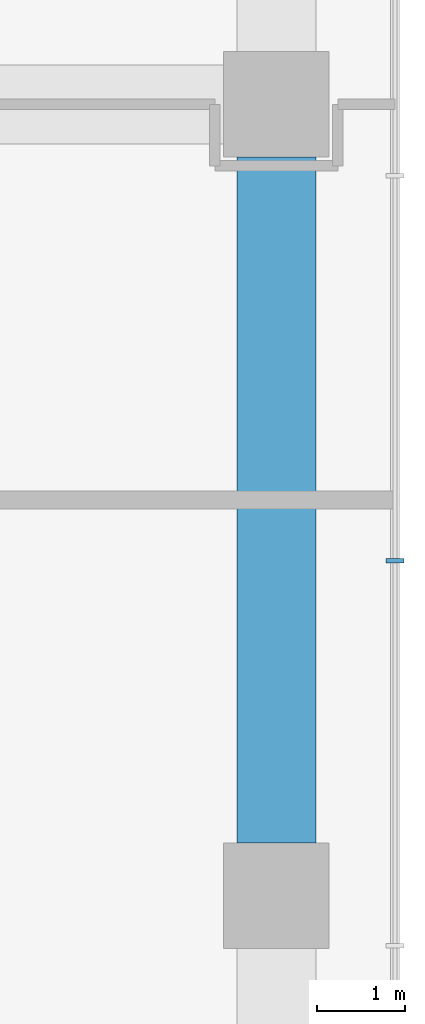
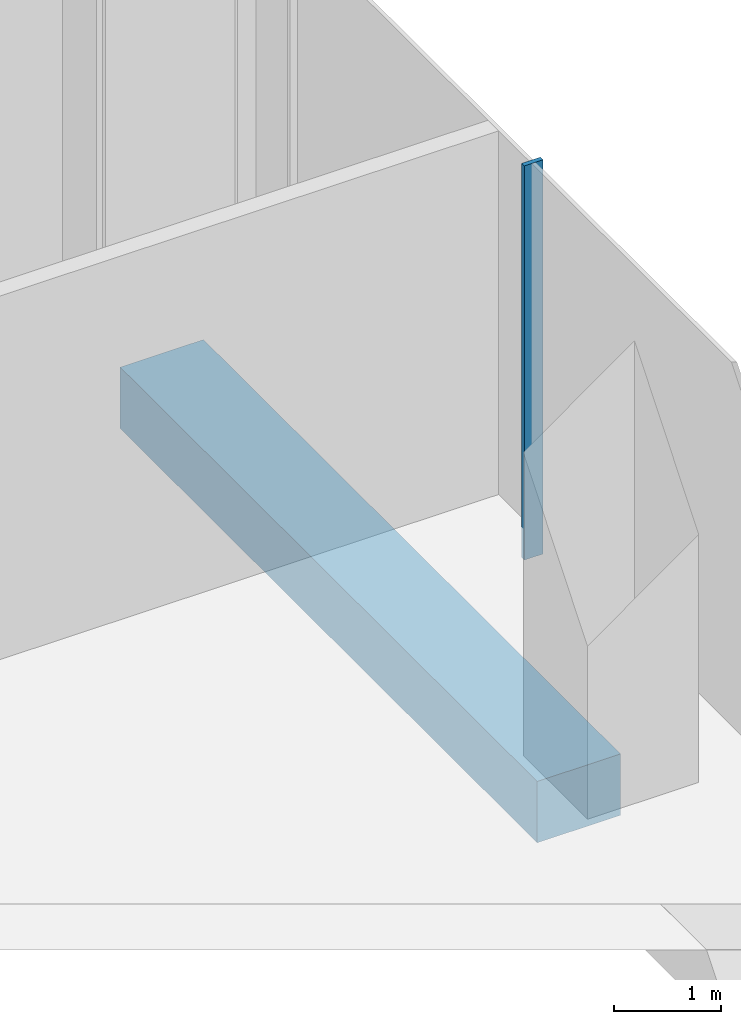
# One storey, part 18 of 43: 1 beam, 1 member, 1 element without a shape of its own.
"""IFC4 building model written with IfcOpenShell, lengths in metres."""

from ifc_helpers import new_model, si_unit, direction, frame, origin, origin_2d, place, context, subcontext, project, spatial, rectangle, extrude, material, layer, layer_set, material_profile, profile_set, type_object, element, aggregate, save


model = new_model("IFC4")

# Units and contexts
model_context = context("Model", 3, precision=1e-05, world=origin(), true_north=direction((0.0, 1.0)))
body_context = subcontext(model_context, "Body", "Model", "MODEL_VIEW")
ifc_project = project(units=[si_unit("LENGTHUNIT", "METRE"), si_unit("AREAUNIT", "SQUARE_METRE"), si_unit("VOLUMEUNIT", "CUBIC_METRE"), si_unit("PLANEANGLEUNIT", "RADIAN"), si_unit("MASSUNIT", "GRAM", prefix="KILO")], contexts=[model_context])

# Site, building, storey
site_placement = place(None, origin())
site = spatial("IfcSite", under=ifc_project, at=site_placement, CompositionType="ELEMENT")
building_placement = place(site_placement, origin())
building = spatial("IfcBuilding", under=site, at=building_placement, Name="Plateau Cross Towers", CompositionType="ELEMENT")
storey_placement = place(building_placement, frame((0.0, 0.0, 17.300048828125)))
storey = spatial("IfcBuildingStorey", under=building, at=storey_placement, Name="L03", CompositionType="ELEMENT", Elevation=17.300048828125)

# Curtain wall, member
ifc_material_1 = material(Name="Dark low-iron laminated glass", Category="glass")
ifc_layer = layer(ifc_material_1, 0.300048828125)
ifc_layer_set = layer_set([ifc_layer], Name="Dark low-iron laminated glass")
curtain_wall_type = type_object("IfcCurtainWallType", Name="Curtain wall structural silicone CW-C", PredefinedType="NOTDEFINED", material=ifc_layer_set)
curtain_wall_placement = place(storey_placement, origin())
curtain_wall = element("IfcCurtainWall", 1, at=curtain_wall_placement, inside=storey, type_object=curtain_wall_type, Name="ENV/P/L03/P1078_-88", PredefinedType="NOTDEFINED")
ifc_material_2 = material(Name="Black anodised aluminium", Category="aluminium")
ifc_material_profile_1 = material_profile(ifc_material_2, rectangle(XDim=0.050048828125, YDim=0.199951171875, at=origin_2d()), Name="MULLION 50x200")
ifc_profile_set_1 = profile_set([ifc_material_profile_1], Name="Black anodised aluminium")
member_type = type_object("IfcMemberType", Name="Mullion 50x200 structural silicone", PredefinedType="MULLION", material=ifc_profile_set_1)
member_placement = place(storey_placement, frame((107.85009765625, 21.81005859375, -0.35009765625), z_axis=(0.0, 0.0, 1.0), x_axis=(0.0, 1.0, 0.0)))
member = element("IfcMember", 2, at=member_placement, type_object=member_type, Name="CW-C mullion 8", PredefinedType="MULLION", context=body_context, shape_type="SweptSolid", body=[
    extrude(rectangle(XDim=0.050048828125, YDim=0.199951171875, at=origin_2d()), origin(), (0.0, 0.0, 1.0), 4.5),
])
aggregate(curtain_wall, [member])

# Beam
ifc_material_3 = material(Name="Concrete C50/60", Category="concrete")
ifc_material_profile_2 = material_profile(ifc_material_3, rectangle(XDim=0.89990234375, YDim=0.699951171875, at=origin_2d()), Name="RC 900x700")
ifc_profile_set_2 = profile_set([ifc_material_profile_2], Name="Concrete C50/60")
beam_type = type_object("IfcBeamType", Name="Podium band beam RC 900x700", PredefinedType="BEAM", material=ifc_profile_set_2)
beam_placement = place(storey_placement, frame((106.5, 18.60009765625, -0.699951171875), z_axis=(0.0, 1.0, 0.0), x_axis=(-1.0, 0.0, 0.0)))
element("IfcBeam", 3, at=beam_placement, inside=storey, type_object=beam_type, Name="PB177@L03", PredefinedType="BEAM", context=body_context, shape_type="SweptSolid", body=[
    extrude(rectangle(XDim=0.89990234375, YDim=0.699951171875, at=origin_2d()), origin(), (0.0, 0.0, 1.0), 7.7998046875),
])

save(model, "model.ifc")
